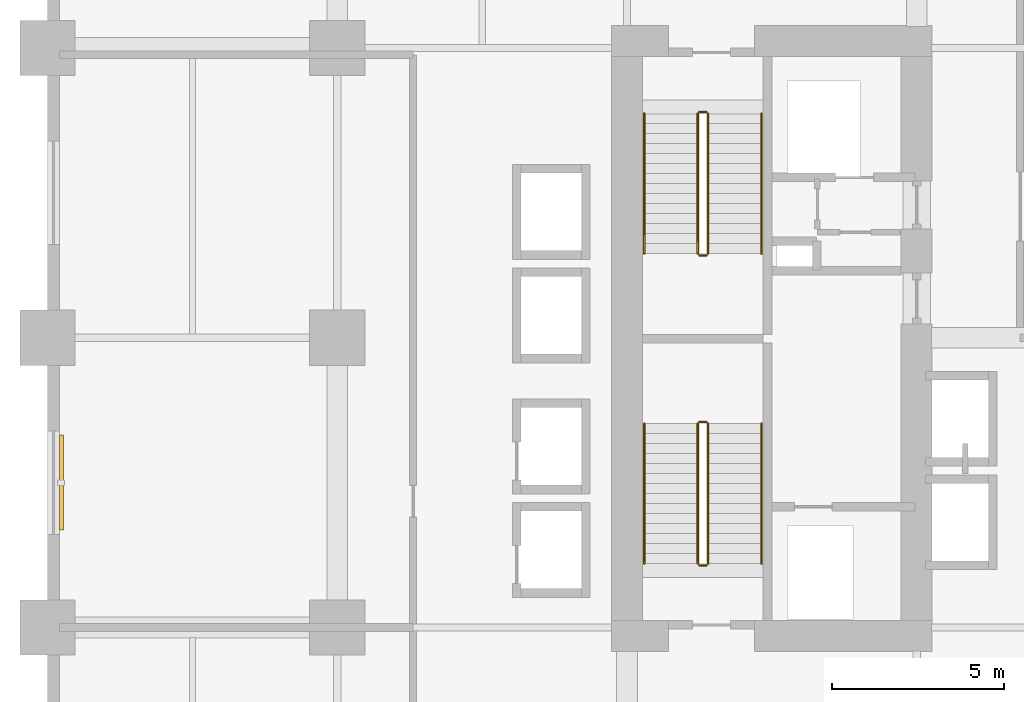
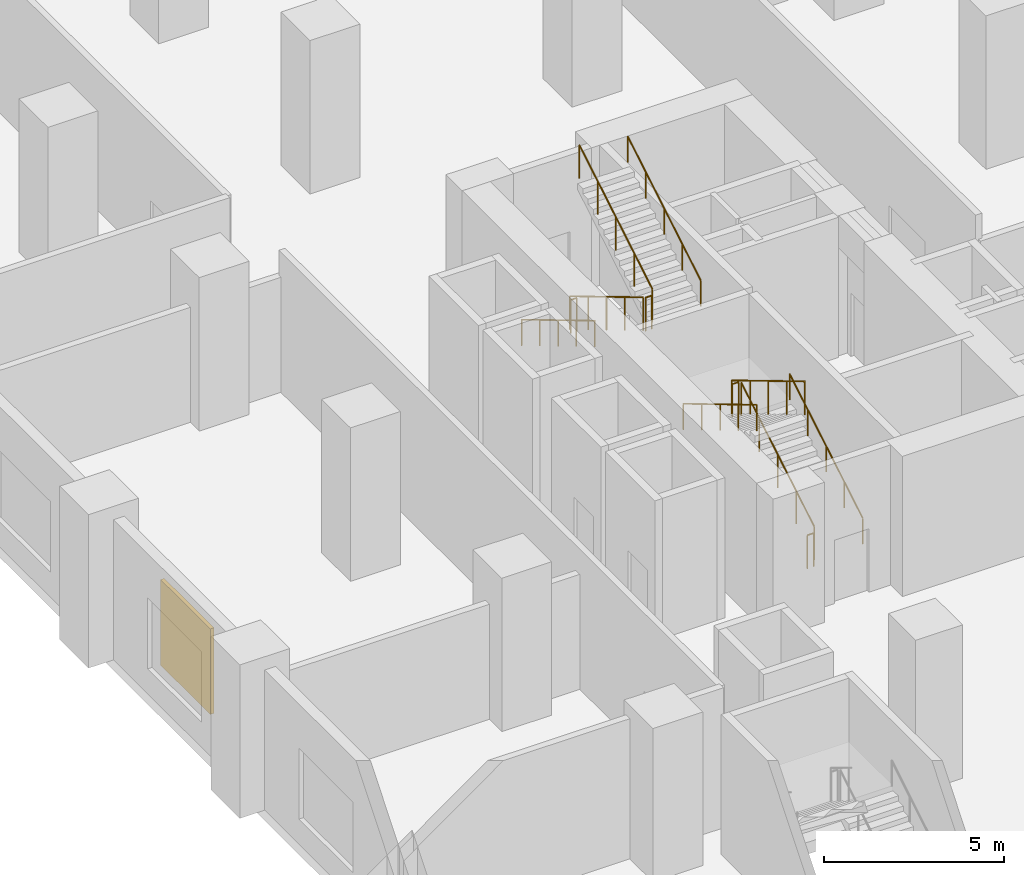
# One storey, part 22 of 23: 12 railings, 1 shading device.
"""IFC4 building model written with IfcOpenShell, lengths in metres."""

from ifc_helpers import new_model, si_unit, direction, frame, origin, origin_2d, place, context, subcontext, project, spatial, rectangle, circle, extrude, material, layer, layer_set, type_object, element, save


model = new_model("IFC4")

# Units and contexts
model_context = context("Model", 3, precision=1e-05, world=origin(), true_north=direction((0.0, 1.0)))
body_context = subcontext(model_context, "Body", "Model", "MODEL_VIEW")
ifc_project = project(units=[si_unit("LENGTHUNIT", "METRE"), si_unit("AREAUNIT", "SQUARE_METRE"), si_unit("VOLUMEUNIT", "CUBIC_METRE"), si_unit("PLANEANGLEUNIT", "RADIAN"), si_unit("MASSUNIT", "GRAM", prefix="KILO")], contexts=[model_context])

# Site, building, storey
site_placement = place(None, origin())
site = spatial("IfcSite", under=ifc_project, at=site_placement, CompositionType="ELEMENT")
building_placement = place(site_placement, origin())
building = spatial("IfcBuilding", under=site, at=building_placement, Name="Koriwani Terraces Tower", CompositionType="ELEMENT")
storey_placement = place(building_placement, frame((0.0, 0.0, 20.800048828125)))
storey = spatial("IfcBuildingStorey", under=building, at=storey_placement, Name="L04", CompositionType="ELEMENT", Elevation=20.800048828125)

# Railings
ifc_material_1 = material(Name="Steel ASTM A572 Grade 50", Category="steel")
railing_type_1 = type_object("IfcRailingType", Name="GUARD_STAIR_WELL_1120", PredefinedType="GUARDRAIL", material=ifc_material_1)
railing_1_placement = place(storey_placement, frame((19.14990234375, 43.85009765625, 0.17333984375)))
element("IfcRailing", 1, at=railing_1_placement, inside=storey, type_object=railing_type_1, Name="L04 ST-W1 stair guard 1", PredefinedType="GUARDRAIL", context=body_context, shape_type="SweptSolid", body=[
    extrude(circle(Radius=0.02392578125, at=origin_2d()), frame((0.0, 0.0, 1.1259765625), z_axis=(0.0, 0.858366167383, 0.513037545109), x_axis=(-1.0, 0.0, 0.0)), (0.0, 0.0, 1.0), 4.729736328125),
    extrude(circle(Radius=0.02099609375, at=origin_2d()), origin(), (0.0, 0.0, 1.0), 1.101806640625),
    extrude(circle(Radius=0.02099609375, at=origin_2d()), frame((0.0, 1.014892578125, 0.606689453125)), (0.0, 0.0, 1.0), 1.101806640625),
    extrude(circle(Radius=0.02099609375, at=origin_2d()), frame((0.0, 2.02978515625, 1.21337890625)), (0.0, 0.0, 1.0), 1.101806640625),
    extrude(circle(Radius=0.02099609375, at=origin_2d()), frame((0.0, 3.044921875, 1.81982421875)), (0.0, 0.0, 1.0), 1.101806640625),
    extrude(circle(Radius=0.02099609375, at=origin_2d()), frame((0.0, 4.059814453125, 2.426513671875)), (0.0, 0.0, 1.0), 1.101806640625),
])
railing_2_placement = place(storey_placement, frame((19.10009765625, 47.9599609375, 2.599853515625)))
element("IfcRailing", 2, at=railing_2_placement, inside=storey, type_object=railing_type_1, Name="L04 ST-W1 stair guard 2", PredefinedType="GUARDRAIL", context=body_context, shape_type="SweptSolid", body=[
    extrude(circle(Radius=0.02392578125, at=origin_2d()), frame((0.0, 0.0, 1.1259765625), z_axis=(-1.0, 0.0, 0.0), x_axis=(0.0, -1.0, 0.0)), (0.0, 0.0, 1.0), 0.2001953125),
    extrude(circle(Radius=0.02099609375, at=origin_2d()), origin(), (0.0, 0.0, 1.0), 1.101806640625),
    extrude(circle(Radius=0.02099609375, at=origin_2d()), frame((-0.2001953125, 0.0, 0.0)), (0.0, 0.0, 1.0), 1.101806640625),
])
railing_3_placement = place(storey_placement, frame((18.85009765625, 47.909912109375, 2.773193359375)))
element("IfcRailing", 3, at=railing_3_placement, inside=storey, type_object=railing_type_1, Name="L04 ST-W1 stair guard 3", PredefinedType="GUARDRAIL", context=body_context, shape_type="SweptSolid", body=[
    extrude(circle(Radius=0.02392578125, at=origin_2d()), frame((0.0, 0.0, 1.1259765625), z_axis=(0.0, -0.858343435637, 0.513075575815), x_axis=(1.0, 0.0, 0.0)), (0.0, 0.0, 1.0), 4.729736328125),
    extrude(circle(Radius=0.02099609375, at=origin_2d()), origin(), (0.0, 0.0, 1.0), 1.101806640625),
    extrude(circle(Radius=0.02099609375, at=origin_2d()), frame((0.0, -1.014892578125, 0.606689453125)), (0.0, 0.0, 1.0), 1.101806640625),
    extrude(circle(Radius=0.02099609375, at=origin_2d()), frame((0.0, -2.02978515625, 1.21337890625)), (0.0, 0.0, 1.0), 1.101806640625),
    extrude(circle(Radius=0.02099609375, at=origin_2d()), frame((0.0, -3.044921875, 1.820068359375)), (0.0, 0.0, 1.0), 1.101806640625),
    extrude(circle(Radius=0.02099609375, at=origin_2d()), frame((0.0, -4.059814453125, 2.4267578125)), (0.0, 0.0, 1.0), 1.101806640625),
])
railing_4_placement = place(storey_placement, frame((19.10009765625, 43.800048828125, 0.0)))
element("IfcRailing", 4, at=railing_4_placement, inside=storey, type_object=railing_type_1, Name="L04 ST-W1 stair guard 4", PredefinedType="GUARDRAIL", context=body_context, shape_type="SweptSolid", body=[
    extrude(circle(Radius=0.02392578125, at=origin_2d()), frame((0.0, 0.0, 1.1259765625), z_axis=(-1.0, 0.0, 0.0), x_axis=(0.0, -1.0, 0.0)), (0.0, 0.0, 1.0), 0.2001953125),
    extrude(circle(Radius=0.02099609375, at=origin_2d()), origin(), (0.0, 0.0, 1.0), 1.101806640625),
    extrude(circle(Radius=0.02099609375, at=origin_2d()), frame((-0.2001953125, 0.0, 0.0)), (0.0, 0.0, 1.0), 1.101806640625),
])
railing_5_placement = place(storey_placement, frame((18.85009765625, 56.89990234375, 0.17333984375)))
element("IfcRailing", 5, at=railing_5_placement, inside=storey, type_object=railing_type_1, Name="L04 ST-W2 stair guard 1", PredefinedType="GUARDRAIL", context=body_context, shape_type="SweptSolid", body=[
    extrude(circle(Radius=0.02392578125, at=origin_2d()), frame((0.0, 0.0, 1.1259765625), z_axis=(0.0, -0.858366167383, 0.513037545109), x_axis=(1.0, 0.0, 0.0)), (0.0, 0.0, 1.0), 4.729736328125),
    extrude(circle(Radius=0.02099609375, at=origin_2d()), origin(), (0.0, 0.0, 1.0), 1.101806640625),
    extrude(circle(Radius=0.02099609375, at=origin_2d()), frame((0.0, -1.014892578125, 0.606689453125)), (0.0, 0.0, 1.0), 1.101806640625),
    extrude(circle(Radius=0.02099609375, at=origin_2d()), frame((0.0, -2.02978515625, 1.21337890625)), (0.0, 0.0, 1.0), 1.101806640625),
    extrude(circle(Radius=0.02099609375, at=origin_2d()), frame((0.0, -3.044921875, 1.81982421875)), (0.0, 0.0, 1.0), 1.101806640625),
    extrude(circle(Radius=0.02099609375, at=origin_2d()), frame((0.0, -4.059814453125, 2.426513671875)), (0.0, 0.0, 1.0), 1.101806640625),
])
railing_6_placement = place(storey_placement, frame((18.89990234375, 52.7900390625, 2.599853515625)))
element("IfcRailing", 6, at=railing_6_placement, inside=storey, type_object=railing_type_1, Name="L04 ST-W2 stair guard 2", PredefinedType="GUARDRAIL", context=body_context, shape_type="SweptSolid", body=[
    extrude(circle(Radius=0.02392578125, at=origin_2d()), frame((0.0, 0.0, 1.1259765625), z_axis=(1.0, 0.0, 0.0), x_axis=(0.0, 1.0, 0.0)), (0.0, 0.0, 1.0), 0.2001953125),
    extrude(circle(Radius=0.02099609375, at=origin_2d()), origin(), (0.0, 0.0, 1.0), 1.101806640625),
    extrude(circle(Radius=0.02099609375, at=origin_2d()), frame((0.2001953125, 0.0, 0.0)), (0.0, 0.0, 1.0), 1.101806640625),
])
railing_7_placement = place(storey_placement, frame((19.14990234375, 52.840087890625, 2.773193359375)))
element("IfcRailing", 7, at=railing_7_placement, inside=storey, type_object=railing_type_1, Name="L04 ST-W2 stair guard 3", PredefinedType="GUARDRAIL", context=body_context, shape_type="SweptSolid", body=[
    extrude(circle(Radius=0.02392578125, at=origin_2d()), frame((0.0, 0.0, 1.1259765625), z_axis=(0.0, 0.858343435637, 0.513075575815), x_axis=(-1.0, 0.0, 0.0)), (0.0, 0.0, 1.0), 4.729736328125),
    extrude(circle(Radius=0.02099609375, at=origin_2d()), origin(), (0.0, 0.0, 1.0), 1.101806640625),
    extrude(circle(Radius=0.02099609375, at=origin_2d()), frame((0.0, 1.014892578125, 0.606689453125)), (0.0, 0.0, 1.0), 1.101806640625),
    extrude(circle(Radius=0.02099609375, at=origin_2d()), frame((0.0, 2.02978515625, 1.21337890625)), (0.0, 0.0, 1.0), 1.101806640625),
    extrude(circle(Radius=0.02099609375, at=origin_2d()), frame((0.0, 3.044921875, 1.820068359375)), (0.0, 0.0, 1.0), 1.101806640625),
    extrude(circle(Radius=0.02099609375, at=origin_2d()), frame((0.0, 4.059814453125, 2.4267578125)), (0.0, 0.0, 1.0), 1.101806640625),
])
railing_8_placement = place(storey_placement, frame((18.89990234375, 56.949951171875, 0.0)))
element("IfcRailing", 8, at=railing_8_placement, inside=storey, type_object=railing_type_1, Name="L04 ST-W2 stair guard 4", PredefinedType="GUARDRAIL", context=body_context, shape_type="SweptSolid", body=[
    extrude(circle(Radius=0.02392578125, at=origin_2d()), frame((0.0, 0.0, 1.1259765625), z_axis=(1.0, 0.0, 0.0), x_axis=(0.0, 1.0, 0.0)), (0.0, 0.0, 1.0), 0.2001953125),
    extrude(circle(Radius=0.02099609375, at=origin_2d()), origin(), (0.0, 0.0, 1.0), 1.101806640625),
    extrude(circle(Radius=0.02099609375, at=origin_2d()), frame((0.2001953125, 0.0, 0.0)), (0.0, 0.0, 1.0), 1.101806640625),
])
railing_type_2 = type_object("IfcRailingType", Name="HANDRAIL_STAIR_920", PredefinedType="HANDRAIL", material=ifc_material_1)
railing_9_placement = place(storey_placement, frame((20.699951171875, 43.85009765625, 0.17333984375)))
element("IfcRailing", 9, at=railing_9_placement, inside=storey, type_object=railing_type_2, Name="L04 ST-W1 stair handrail 1", PredefinedType="HANDRAIL", context=body_context, shape_type="SweptSolid", body=[
    extrude(circle(Radius=0.02392578125, at=origin_2d()), frame((0.0, 0.0, 0.8759765625), z_axis=(0.0, 0.858366167383, 0.513037545109), x_axis=(-1.0, 0.0, 0.0)), (0.0, 0.0, 1.0), 4.729736328125),
    extrude(circle(Radius=0.02099609375, at=origin_2d()), origin(), (0.0, 0.0, 1.0), 0.851806640625),
    extrude(circle(Radius=0.02099609375, at=origin_2d()), frame((0.0, 1.014892578125, 0.606689453125)), (0.0, 0.0, 1.0), 0.851806640625),
    extrude(circle(Radius=0.02099609375, at=origin_2d()), frame((0.0, 2.02978515625, 1.21337890625)), (0.0, 0.0, 1.0), 0.851806640625),
    extrude(circle(Radius=0.02099609375, at=origin_2d()), frame((0.0, 3.044921875, 1.81982421875)), (0.0, 0.0, 1.0), 0.851806640625),
    extrude(circle(Radius=0.02099609375, at=origin_2d()), frame((0.0, 4.059814453125, 2.426513671875)), (0.0, 0.0, 1.0), 0.851806640625),
])
railing_10_placement = place(storey_placement, frame((17.300048828125, 47.909912109375, 2.773193359375)))
element("IfcRailing", 10, at=railing_10_placement, inside=storey, type_object=railing_type_2, Name="L04 ST-W1 stair handrail 2", PredefinedType="HANDRAIL", context=body_context, shape_type="SweptSolid", body=[
    extrude(circle(Radius=0.02392578125, at=origin_2d()), frame((0.0, 0.0, 0.8759765625), z_axis=(0.0, -0.858343435637, 0.513075575815), x_axis=(1.0, 0.0, 0.0)), (0.0, 0.0, 1.0), 4.729736328125),
    extrude(circle(Radius=0.02099609375, at=origin_2d()), origin(), (0.0, 0.0, 1.0), 0.851806640625),
    extrude(circle(Radius=0.02099609375, at=origin_2d()), frame((0.0, -1.014892578125, 0.606689453125)), (0.0, 0.0, 1.0), 0.851806640625),
    extrude(circle(Radius=0.02099609375, at=origin_2d()), frame((0.0, -2.02978515625, 1.21337890625)), (0.0, 0.0, 1.0), 0.851806640625),
    extrude(circle(Radius=0.02099609375, at=origin_2d()), frame((0.0, -3.044921875, 1.820068359375)), (0.0, 0.0, 1.0), 0.851806640625),
    extrude(circle(Radius=0.02099609375, at=origin_2d()), frame((0.0, -4.059814453125, 2.4267578125)), (0.0, 0.0, 1.0), 0.851806640625),
])
railing_11_placement = place(storey_placement, frame((17.300048828125, 56.89990234375, 0.17333984375)))
element("IfcRailing", 11, at=railing_11_placement, inside=storey, type_object=railing_type_2, Name="L04 ST-W2 stair handrail 1", PredefinedType="HANDRAIL", context=body_context, shape_type="SweptSolid", body=[
    extrude(circle(Radius=0.02392578125, at=origin_2d()), frame((0.0, 0.0, 0.8759765625), z_axis=(0.0, -0.858366167383, 0.513037545109), x_axis=(1.0, 0.0, 0.0)), (0.0, 0.0, 1.0), 4.729736328125),
    extrude(circle(Radius=0.02099609375, at=origin_2d()), origin(), (0.0, 0.0, 1.0), 0.851806640625),
    extrude(circle(Radius=0.02099609375, at=origin_2d()), frame((0.0, -1.014892578125, 0.606689453125)), (0.0, 0.0, 1.0), 0.851806640625),
    extrude(circle(Radius=0.02099609375, at=origin_2d()), frame((0.0, -2.02978515625, 1.21337890625)), (0.0, 0.0, 1.0), 0.851806640625),
    extrude(circle(Radius=0.02099609375, at=origin_2d()), frame((0.0, -3.044921875, 1.81982421875)), (0.0, 0.0, 1.0), 0.851806640625),
    extrude(circle(Radius=0.02099609375, at=origin_2d()), frame((0.0, -4.059814453125, 2.426513671875)), (0.0, 0.0, 1.0), 0.851806640625),
])
railing_12_placement = place(storey_placement, frame((20.699951171875, 52.840087890625, 2.773193359375)))
element("IfcRailing", 12, at=railing_12_placement, inside=storey, type_object=railing_type_2, Name="L04 ST-W2 stair handrail 2", PredefinedType="HANDRAIL", context=body_context, shape_type="SweptSolid", body=[
    extrude(circle(Radius=0.02392578125, at=origin_2d()), frame((0.0, 0.0, 0.8759765625), z_axis=(0.0, 0.858343435637, 0.513075575815), x_axis=(-1.0, 0.0, 0.0)), (0.0, 0.0, 1.0), 4.729736328125),
    extrude(circle(Radius=0.02099609375, at=origin_2d()), origin(), (0.0, 0.0, 1.0), 0.851806640625),
    extrude(circle(Radius=0.02099609375, at=origin_2d()), frame((0.0, 1.014892578125, 0.606689453125)), (0.0, 0.0, 1.0), 0.851806640625),
    extrude(circle(Radius=0.02099609375, at=origin_2d()), frame((0.0, 2.02978515625, 1.21337890625)), (0.0, 0.0, 1.0), 0.851806640625),
    extrude(circle(Radius=0.02099609375, at=origin_2d()), frame((0.0, 3.044921875, 1.820068359375)), (0.0, 0.0, 1.0), 0.851806640625),
    extrude(circle(Radius=0.02099609375, at=origin_2d()), frame((0.0, 4.059814453125, 2.4267578125)), (0.0, 0.0, 1.0), 0.851806640625),
])

# Shading device
ifc_material_2 = material(Name="Extruded Terracotta Clay", Category="masonry")
ifc_layer = layer(ifc_material_2, 0.1201171875, Name="Extruded Terracotta Clay")
ifc_layer_set = layer_set([ifc_layer], Name="Extruded Terracotta Clay")
shading_device_type = type_object("IfcShadingDeviceType", Name="TERRACOTTA_BAGUETTE_SCREEN_2800", PredefinedType="USERDEFINED", material=ifc_layer_set)
shading_device_placement = place(storey_placement, frame((0.405029296875, 46.199951171875, 0.925048828125), z_axis=(0.0, 0.0, 1.0), x_axis=(0.0, 1.0, 0.0)))
element("IfcShadingDevice", 13, at=shading_device_placement, inside=storey, type_object=shading_device_type, Name="L04 Extruded Terracotta Baguette Screen (W-15)", ObjectType="BAGUETTE", PredefinedType="USERDEFINED", context=body_context, shape_type="SweptSolid", body=[
    extrude(rectangle(XDim=2.760009765625, YDim=0.1201171875, at=origin_2d()), origin(), (0.0, 0.0, 1.0), 2.89990234375),
])

save(model, "model.ifc")
